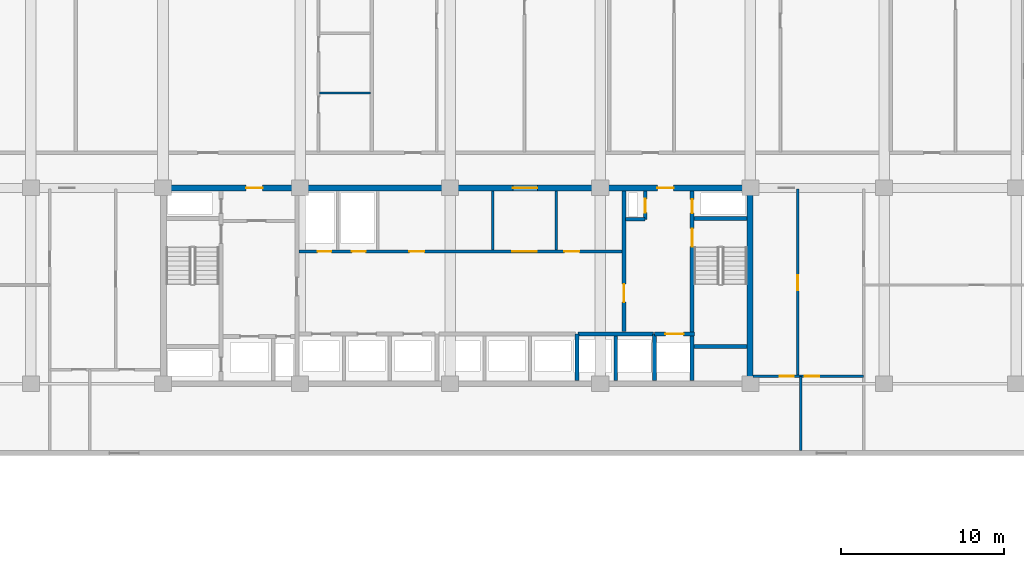
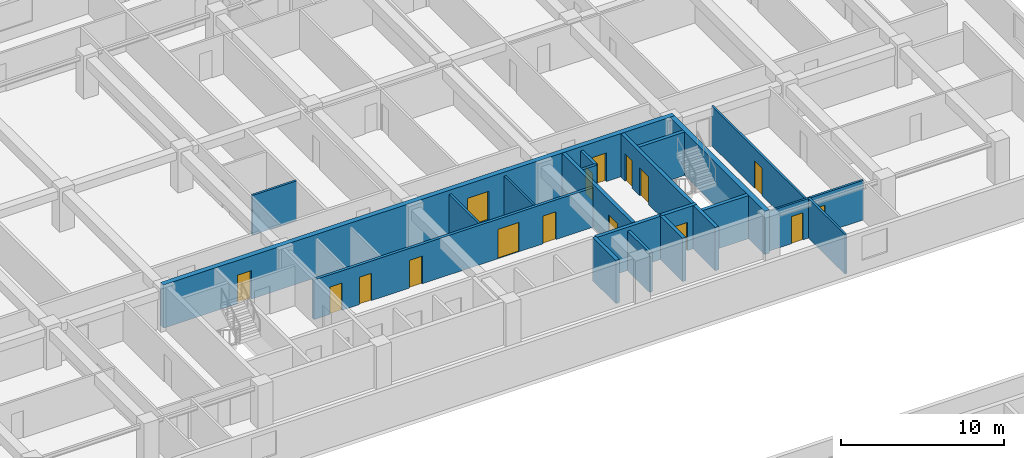
# One storey, part 11 of 23: 20 walls, 16 doors, 16 openings.
"""IFC4 building model written with IfcOpenShell, lengths in metres."""

from ifc_helpers import new_model, si_unit, direction, frame, frame_2d, origin, place, context, subcontext, project, spatial, rectangle, extrude, material, layer, layer_set, type_object, element, fill, save


model = new_model("IFC4")

# Units and contexts
model_context = context("Model", 3, precision=1e-05, world=origin(), true_north=direction((0.0, 1.0)))
body_context = subcontext(model_context, "Body", "Model", "MODEL_VIEW")
ifc_project = project(units=[si_unit("LENGTHUNIT", "METRE"), si_unit("AREAUNIT", "SQUARE_METRE"), si_unit("VOLUMEUNIT", "CUBIC_METRE"), si_unit("PLANEANGLEUNIT", "RADIAN"), si_unit("MASSUNIT", "GRAM", prefix="KILO")], contexts=[model_context])

# Site, building, storey
site_placement = place(None, origin())
site = spatial("IfcSite", under=ifc_project, at=site_placement, CompositionType="ELEMENT")
building_placement = place(site_placement, origin())
building = spatial("IfcBuilding", under=site, at=building_placement, Name="Korimba Cascade Residences", CompositionType="ELEMENT")
storey_placement = place(building_placement, frame((0.0, 0.0, 46.75)))
storey = spatial("IfcBuildingStorey", under=building, at=storey_placement, Name="L12", CompositionType="ELEMENT", Elevation=46.75)

# Wall
ifc_material_1 = material(Name="Concrete C65/80", Category="concrete")
ifc_layer_1 = layer(ifc_material_1, 0.35009765625)
ifc_layer_set_1 = layer_set([ifc_layer_1], Name="Concrete C65/80")
wall_type_1 = type_object("IfcWallType", Name="WAL-CORE-350", PredefinedType="SHEAR", material=ifc_layer_set_1)
wall_1_placement = place(storey_placement, frame((112.074951171875, 55.375, 0.0), z_axis=(0.0, 0.0, 1.0), x_axis=(0.0, 1.0, 0.0)))
element("IfcWall", 1, at=wall_1_placement, inside=storey, type_object=wall_type_1, Name="L12 Core Shear Wall CW-L12-T1-E", PredefinedType="SHEAR", context=body_context, shape_type="SweptSolid", body=[
    extrude(rectangle(XDim=11.64990234375, YDim=0.35009765625, at=frame_2d((5.824951171875, 0.0))), origin(), (0.0, 0.0, 1.0), 3.25),
])

# Wall, openings, doors
wall_2_placement = place(storey_placement, frame((75.949951171875, 67.199951171875, 0.0), z_axis=(0.0, 0.0, 1.0), x_axis=(1.0, 0.0, 0.0)))
wall_2 = element("IfcWall", 2, at=wall_2_placement, inside=storey, type_object=wall_type_1, Name="L12 Core Shear Wall CW-L12-T1-N", PredefinedType="SHEAR", context=body_context, shape_type="SweptSolid", body=[
    extrude(rectangle(XDim=36.300048828125, YDim=0.35009765625, at=frame_2d((18.14990234375, 0.0))), origin(), (0.0, 0.0, 1.0), 3.25),
])
opening_1_placement = place(wall_2_placement, frame((5.25, 0.0, 0.0)))
opening_1 = element("IfcOpeningElement", 3, at=opening_1_placement, cuts=wall_2, Name="Opening D-FD5", PredefinedType="OPENING", context=body_context, shape_type="SweptSolid", body=[
    extrude(rectangle(XDim=1.0, YDim=2.14990234375, at=frame_2d((0.5, 1.074951171875))), frame((0.0, 0.18505859375, 0.0), z_axis=(0.0, -1.0, 0.0), x_axis=(1.0, 0.0, 0.0)), (0.0, 0.0, 1.0), 0.3701171875),
])
opening_2_placement = place(wall_2_placement, frame((21.60009765625, 0.0, 0.0)))
opening_2 = element("IfcOpeningElement", 4, at=opening_2_placement, cuts=wall_2, Name="Opening D-FD8", PredefinedType="OPENING", context=body_context, shape_type="SweptSolid", body=[
    extrude(rectangle(XDim=1.5, YDim=2.199951171875, at=frame_2d((0.75, 1.10009765625))), frame((0.0, 0.18505859375, 0.0), z_axis=(0.0, -1.0, 0.0), x_axis=(1.0, 0.0, 0.0)), (0.0, 0.0, 1.0), 0.3701171875),
])
opening_3_placement = place(wall_2_placement, frame((30.449951171875, 0.0, 0.0)))
opening_3 = element("IfcOpeningElement", 5, at=opening_3_placement, cuts=wall_2, Name="Opening D-FD5", PredefinedType="OPENING", context=body_context, shape_type="SweptSolid", body=[
    extrude(rectangle(XDim=1.0, YDim=2.14990234375, at=frame_2d((0.5, 1.074951171875))), frame((0.0, 0.18505859375, 0.0), z_axis=(0.0, -1.0, 0.0), x_axis=(1.0, 0.0, 0.0)), (0.0, 0.0, 1.0), 0.3701171875),
])
ifc_material_2 = material(Name="Fire-Rated Acoustic Timber Vestibule Door", Category="wood")
door_type_1 = type_object("IfcDoorType", Name="DR-FD90-1000", OperationType="NOTDEFINED", PredefinedType="DOOR", material=ifc_material_2)
door_1_placement = place(opening_1_placement, origin())
door_1 = element("IfcDoor", 6, at=door_1_placement, inside=storey, type_object=door_type_1, Name="L12 T1 West Core Vestibule Fire Door", OperationType="SINGLE_SWING_RIGHT", OverallHeight=2.14990234375, OverallWidth=1.0, PredefinedType="DOOR", context=body_context, shape_type="SweptSolid", body=[
    extrude(rectangle(XDim=1.0, YDim=2.14990234375, at=frame_2d((0.5, 1.074951171875))), frame((0.0, 0.02490234375, 0.0), z_axis=(0.0, -1.0, 0.0), x_axis=(1.0, 0.0, 0.0)), (0.0, 0.0, 1.0), 0.050048828125),
])
fill(opening_1, door_1)
door_2_placement = place(opening_3_placement, origin())
door_2 = element("IfcDoor", 7, at=door_2_placement, inside=storey, type_object=door_type_1, Name="L12 T1 East Firefighting Vestibule Fire Door", OperationType="SINGLE_SWING_LEFT", OverallHeight=2.14990234375, OverallWidth=1.0, PredefinedType="DOOR", context=body_context, shape_type="SweptSolid", body=[
    extrude(rectangle(XDim=1.0, YDim=2.14990234375, at=frame_2d((0.5, 1.074951171875))), frame((0.0, 0.02490234375, 0.0), z_axis=(0.0, -1.0, 0.0), x_axis=(1.0, 0.0, 0.0)), (0.0, 0.0, 1.0), 0.050048828125),
])
fill(opening_3, door_2)
ifc_material_3 = material(Name="Fire-Rated Glazed Lift Lobby Double Door", Category="glass")
door_type_2 = type_object("IfcDoorType", Name="DR-FD90-1500", OperationType="NOTDEFINED", PredefinedType="DOOR", material=ifc_material_3)
door_3_placement = place(opening_2_placement, origin())
door_3 = element("IfcDoor", 8, at=door_3_placement, inside=storey, type_object=door_type_2, Name="L12 T1 Lift Lobby Fire Door", OperationType="DOUBLE_DOOR_SINGLE_SWING", OverallHeight=2.199951171875, OverallWidth=1.5, PredefinedType="DOOR", context=body_context, shape_type="SweptSolid", body=[
    extrude(rectangle(XDim=1.5, YDim=2.199951171875, at=frame_2d((0.75, 1.10009765625))), frame((0.0, 0.02490234375, 0.0), z_axis=(0.0, -1.0, 0.0), x_axis=(1.0, 0.0, 0.0)), (0.0, 0.0, 1.0), 0.050048828125),
])
fill(opening_2, door_3)

# Walls
ifc_material_4 = material(Name="Insulated Acoustic Stud Partition", Category="gypsum")
ifc_layer_2 = layer(ifc_material_4, 0.14990234375)
ifc_layer_set_2 = layer_set([ifc_layer_2], Name="Insulated Acoustic Stud Partition")
wall_type_2 = type_object("IfcWallType", Name="WAL-PART-150", PredefinedType="PARTITIONING", material=ifc_layer_set_2)
for number, where, z_axis, x_axis, name in (
    (9, (96.300048828125, 63.39990234375, 0.0), (0.0, 0.0, 1.0), (0.0, 1.0, 0.0), "L12 Partition Wall CW-L12-T1-THW"),
    (10, (100.199951171875, 63.39990234375, 0.0), (0.0, 0.0, 1.0), (0.0, 1.0, 0.0), "L12 Partition Wall CW-L12-T1-THE"),
):
    element("IfcWall", number, at=place(storey_placement, frame(where, z_axis=z_axis, x_axis=x_axis)), inside=storey, type_object=wall_type_2, Name=name, PredefinedType="PARTITIONING", context=body_context, shape_type="SweptSolid", body=[
        extrude(rectangle(XDim=3.60009765625, YDim=0.14990234375, at=frame_2d((1.800048828125, 0.0))), origin(), (0.0, 0.0, 1.0), 2.969970703125),
    ])

# Wall, opening, door
wall_3_placement = place(storey_placement, frame((115.0, 55.64990234375, 0.0), z_axis=(0.0, 0.0, 1.0), x_axis=(0.0, 1.0, 0.0)))
wall_3 = element("IfcWall", 11, at=wall_3_placement, inside=storey, type_object=wall_type_2, Name="L12 Partition Wall WAL-L12-T1-FE-VN", PredefinedType="PARTITIONING", context=body_context, shape_type="SweptSolid", body=[
    extrude(rectangle(XDim=11.5, YDim=0.14990234375, at=frame_2d((5.75, 0.0))), origin(), (0.0, 0.0, 1.0), 2.969970703125),
])
opening_4_placement = place(wall_3_placement, frame((5.2900390625, 0.0, 0.0)))
opening_4 = element("IfcOpeningElement", 12, at=opening_4_placement, cuts=wall_3, Name="Opening D-IN1", PredefinedType="OPENING", context=body_context, shape_type="SweptSolid", body=[
    extrude(rectangle(XDim=0.919921875, YDim=2.080078125, at=frame_2d((0.4599609375, 1.0400390625))), frame((0.0, 0.0849609375, 0.0), z_axis=(0.0, -1.0, 0.0), x_axis=(1.0, 0.0, 0.0)), (0.0, 0.0, 1.0), 0.169921875),
])
ifc_material_5 = material(Name="Acoustic Timber Living Door", Category="wood")
door_type_3 = type_object("IfcDoorType", Name="DR-INT-920", OperationType="NOTDEFINED", PredefinedType="DOOR", material=ifc_material_5)
door_4_placement = place(opening_4_placement, origin())
door_4 = element("IfcDoor", 13, at=door_4_placement, inside=storey, type_object=door_type_3, Name="L12-T1-FE Living Door", OperationType="SINGLE_SWING_RIGHT", OverallHeight=2.080078125, OverallWidth=0.919921875, PredefinedType="DOOR", context=body_context, shape_type="SweptSolid", body=[
    extrude(rectangle(XDim=0.919921875, YDim=2.080078125, at=frame_2d((0.4599609375, 1.0400390625))), frame((0.0, 0.02490234375, 0.0), z_axis=(0.0, -1.0, 0.0), x_axis=(1.0, 0.0, 0.0)), (0.0, 0.0, 1.0), 0.050048828125),
])
fill(opening_4, door_4)

# Wall
wall_4_placement = place(storey_placement, frame((115.199951171875, 51.10009765625, 0.0), z_axis=(0.0, 0.0, 1.0), x_axis=(0.0, 1.0, 0.0)))
element("IfcWall", 14, at=wall_4_placement, inside=storey, type_object=wall_type_2, Name="L12 Partition Wall WAL-L12-T1-FE-VS", PredefinedType="PARTITIONING", context=body_context, shape_type="SweptSolid", body=[
    extrude(rectangle(XDim=4.5498046875, YDim=0.14990234375, at=frame_2d((2.27490234375, 0.0))), origin(), (0.0, 0.0, 1.0), 2.969970703125),
])

# Wall, openings, doors
wall_5_placement = place(storey_placement, frame((112.27001953125, 55.64990234375, 0.0), z_axis=(0.0, 0.0, 1.0), x_axis=(1.0, 0.0, 0.0)))
wall_5 = element("IfcWall", 15, at=wall_5_placement, inside=storey, type_object=wall_type_2, Name="L12 Partition Wall WAL-L12-T1-FE-H", PredefinedType="PARTITIONING", context=body_context, shape_type="SweptSolid", body=[
    extrude(rectangle(XDim=6.760009765625, YDim=0.14990234375, at=frame_2d((3.3798828125, 0.0))), origin(), (0.0, 0.0, 1.0), 2.969970703125),
])
opening_5_placement = place(wall_5_placement, frame((1.6396484375, 0.0, 0.0)))
opening_5 = element("IfcOpeningElement", 16, at=opening_5_placement, cuts=wall_5, Name="Opening D-BT1", PredefinedType="OPENING", context=body_context, shape_type="SweptSolid", body=[
    extrude(rectangle(XDim=0.840087890625, YDim=2.0400390625, at=frame_2d((0.419921875, 1.02001953125))), frame((0.0, 0.0849609375, 0.0), z_axis=(0.0, -1.0, 0.0), x_axis=(1.0, 0.0, 0.0)), (0.0, 0.0, 1.0), 0.169921875),
])
opening_6_placement = place(wall_5_placement, frame((3.160400390625, 0.0, 0.0)))
opening_6 = element("IfcOpeningElement", 17, at=opening_6_placement, cuts=wall_5, Name="Opening D-IN2", PredefinedType="OPENING", context=body_context, shape_type="SweptSolid", body=[
    extrude(rectangle(XDim=0.8798828125, YDim=2.06005859375, at=frame_2d((0.43994140625, 1.030029296875))), frame((0.0, 0.0849609375, 0.0), z_axis=(0.0, -1.0, 0.0), x_axis=(1.0, 0.0, 0.0)), (0.0, 0.0, 1.0), 0.169921875),
])
ifc_material_6 = material(Name="Moisture-Resistant Bathroom Timber Door", Category="wood")
door_type_4 = type_object("IfcDoorType", Name="DR-INT-850", OperationType="NOTDEFINED", PredefinedType="DOOR", material=ifc_material_6)
door_5_placement = place(opening_5_placement, origin())
door_5 = element("IfcDoor", 18, at=door_5_placement, inside=storey, type_object=door_type_4, Name="L12-T1-FE Bathroom Door", OperationType="SINGLE_SWING_LEFT", OverallHeight=2.0400390625, OverallWidth=0.840087890625, PredefinedType="DOOR", context=body_context, shape_type="SweptSolid", body=[
    extrude(rectangle(XDim=0.840087890625, YDim=2.0400390625, at=frame_2d((0.419921875, 1.02001953125))), frame((0.0, 0.02490234375, 0.0), z_axis=(0.0, -1.0, 0.0), x_axis=(1.0, 0.0, 0.0)), (0.0, 0.0, 1.0), 0.050048828125),
])
fill(opening_5, door_5)
ifc_material_7 = material(Name="Acoustic Timber Bedroom Door", Category="wood")
door_type_5 = type_object("IfcDoorType", Name="DR-INT-880", OperationType="NOTDEFINED", PredefinedType="DOOR", material=ifc_material_7)
door_6_placement = place(opening_6_placement, origin())
door_6 = element("IfcDoor", 19, at=door_6_placement, inside=storey, type_object=door_type_5, Name="L12-T1-FE Bedroom Door", OperationType="SINGLE_SWING_RIGHT", OverallHeight=2.06005859375, OverallWidth=0.8798828125, PredefinedType="DOOR", context=body_context, shape_type="SweptSolid", body=[
    extrude(rectangle(XDim=0.8798828125, YDim=2.06005859375, at=frame_2d((0.43994140625, 1.030029296875))), frame((0.0, 0.02490234375, 0.0), z_axis=(0.0, -1.0, 0.0), x_axis=(1.0, 0.0, 0.0)), (0.0, 0.0, 1.0), 0.050048828125),
])
fill(opening_6, door_6)

# Walls
wall_6_placement = place(storey_placement, frame((85.684326171875, 73.02001953125, 0.0), z_axis=(0.0, 0.0, 1.0), x_axis=(1.0, 0.0, 0.0)))
element("IfcWall", 20, at=wall_6_placement, inside=storey, type_object=wall_type_2, Name="L12 Partition Wall WAL-L12-T1-U02-WCH", PredefinedType="PARTITIONING", context=body_context, shape_type="SweptSolid", body=[
    extrude(rectangle(XDim=3.1298828125, YDim=0.14990234375, at=frame_2d((1.56494140625, 0.0))), origin(), (0.0, 0.0, 1.0), 2.969970703125),
])
ifc_material_8 = material(Name="Concrete C40/50", Category="concrete")
ifc_layer_3 = layer(ifc_material_8, 0.199951171875)
ifc_layer_set_3 = layer_set([ifc_layer_3], Name="Concrete C40/50")
wall_type_3 = type_object("IfcWallType", Name="WAL-PART-200", PredefinedType="PARTITIONING", material=ifc_layer_set_3)
wall_7_placement = place(storey_placement, frame((103.85009765625, 55.39990234375, 0.0), z_axis=(0.0, 0.0, 1.0), x_axis=(0.0, 1.0, 0.0)))
element("IfcWall", 21, at=wall_7_placement, inside=storey, type_object=wall_type_3, Name="L12 Partition Wall CW-L12-T1-B3D1", PredefinedType="PARTITIONING", context=body_context, shape_type="SweptSolid", body=[
    extrude(rectangle(XDim=2.72021484375, YDim=0.199951171875, at=frame_2d((1.360107421875, 0.0))), origin(), (0.0, 0.0, 1.0), 2.969970703125),
])

# Wall, openings, doors
wall_8_placement = place(storey_placement, frame((84.419921875, 63.300048828125, 0.0), z_axis=(0.0, 0.0, 1.0), x_axis=(1.0, 0.0, 0.0)))
wall_8 = element("IfcWall", 22, at=wall_8_placement, inside=storey, type_object=wall_type_3, Name="L12 Partition Wall CW-L12-T1-SRVROW", PredefinedType="PARTITIONING", context=body_context, shape_type="SweptSolid", body=[
    extrude(rectangle(XDim=19.830078125, YDim=0.199951171875, at=frame_2d((9.9150390625, 0.0))), origin(), (0.0, 0.0, 1.0), 2.969970703125),
])
opening_7_placement = place(wall_8_placement, frame((1.14990234375, 0.0, 0.0)))
opening_7 = element("IfcOpeningElement", 23, at=opening_7_placement, cuts=wall_8, Name="Opening D-RS1", PredefinedType="OPENING", context=body_context, shape_type="SweptSolid", body=[
    extrude(rectangle(XDim=0.85009765625, YDim=2.050048828125, at=frame_2d((0.425048828125, 1.02490234375))), frame((0.0, 0.10986328125, 0.0), z_axis=(0.0, -1.0, 0.0), x_axis=(1.0, 0.0, 0.0)), (0.0, 0.0, 1.0), 0.219970703125),
])
opening_8_placement = place(wall_8_placement, frame((3.25, 0.0, 0.0)))
opening_8 = element("IfcOpeningElement", 24, at=opening_8_placement, cuts=wall_8, Name="Opening D-RS1", PredefinedType="OPENING", context=body_context, shape_type="SweptSolid", body=[
    extrude(rectangle(XDim=0.85009765625, YDim=2.050048828125, at=frame_2d((0.425048828125, 1.02490234375))), frame((0.0, 0.10986328125, 0.0), z_axis=(0.0, -1.0, 0.0), x_axis=(1.0, 0.0, 0.0)), (0.0, 0.0, 1.0), 0.219970703125),
])
opening_9_placement = place(wall_8_placement, frame((13.080078125, 0.0, 0.0)))
opening_9 = element("IfcOpeningElement", 25, at=opening_9_placement, cuts=wall_8, Name="Opening D-FD8", PredefinedType="OPENING", context=body_context, shape_type="SweptSolid", body=[
    extrude(rectangle(XDim=1.5, YDim=2.199951171875, at=frame_2d((0.75, 1.10009765625))), frame((0.0, 0.10986328125, 0.0), z_axis=(0.0, -1.0, 0.0), x_axis=(1.0, 0.0, 0.0)), (0.0, 0.0, 1.0), 0.219970703125),
])
opening_10_placement = place(wall_8_placement, frame((6.780029296875, 0.0, 0.0)))
opening_10 = element("IfcOpeningElement", 26, at=opening_10_placement, cuts=wall_8, Name="Opening D-IN1", PredefinedType="OPENING", context=body_context, shape_type="SweptSolid", body=[
    extrude(rectangle(XDim=0.919921875, YDim=2.080078125, at=frame_2d((0.4599609375, 1.0400390625))), frame((0.0, 0.10986328125, 0.0), z_axis=(0.0, -1.0, 0.0), x_axis=(1.0, 0.0, 0.0)), (0.0, 0.0, 1.0), 0.219970703125),
])
opening_11_placement = place(wall_8_placement, frame((16.280029296875, 0.0, 0.0)))
opening_11 = element("IfcOpeningElement", 27, at=opening_11_placement, cuts=wall_8, Name="Opening D-IN1", PredefinedType="OPENING", context=body_context, shape_type="SweptSolid", body=[
    extrude(rectangle(XDim=0.919921875, YDim=2.080078125, at=frame_2d((0.4599609375, 1.0400390625))), frame((0.0, 0.10986328125, 0.0), z_axis=(0.0, -1.0, 0.0), x_axis=(1.0, 0.0, 0.0)), (0.0, 0.0, 1.0), 0.219970703125),
])
ifc_material_9 = material(Name="Fire-Rated Steel Riser Access Door", Category="steel")
door_type_6 = type_object("IfcDoorType", Name="DR-FD60-850", OperationType="NOTDEFINED", PredefinedType="DOOR", material=ifc_material_9)
door_7_placement = place(opening_7_placement, origin())
door_7 = element("IfcDoor", 28, at=door_7_placement, inside=storey, type_object=door_type_6, Name="L12 Electrical Riser Door", OperationType="SINGLE_SWING_RIGHT", OverallHeight=2.050048828125, OverallWidth=0.85009765625, PredefinedType="DOOR", context=body_context, shape_type="SweptSolid", body=[
    extrude(rectangle(XDim=0.85009765625, YDim=2.050048828125, at=frame_2d((0.425048828125, 1.02490234375))), frame((0.0, 0.02490234375, 0.0), z_axis=(0.0, -1.0, 0.0), x_axis=(1.0, 0.0, 0.0)), (0.0, 0.0, 1.0), 0.050048828125),
])
fill(opening_7, door_7)
door_8_placement = place(opening_8_placement, origin())
door_8 = element("IfcDoor", 29, at=door_8_placement, inside=storey, type_object=door_type_6, Name="L12 Plumbing Riser Door", OperationType="SINGLE_SWING_LEFT", OverallHeight=2.050048828125, OverallWidth=0.85009765625, PredefinedType="DOOR", context=body_context, shape_type="SweptSolid", body=[
    extrude(rectangle(XDim=0.85009765625, YDim=2.050048828125, at=frame_2d((0.425048828125, 1.02490234375))), frame((0.0, 0.02490234375, 0.0), z_axis=(0.0, -1.0, 0.0), x_axis=(1.0, 0.0, 0.0)), (0.0, 0.0, 1.0), 0.050048828125),
])
fill(opening_8, door_8)
door_9_placement = place(opening_9_placement, origin())
door_9 = element("IfcDoor", 30, at=door_9_placement, inside=storey, type_object=door_type_2, Name="L12 Lift Lobby Foyer Archway Door", OperationType="DOUBLE_DOOR_SINGLE_SWING", OverallHeight=2.199951171875, OverallWidth=1.5, PredefinedType="DOOR", context=body_context, shape_type="SweptSolid", body=[
    extrude(rectangle(XDim=1.5, YDim=2.199951171875, at=frame_2d((0.75, 1.10009765625))), frame((0.0, 0.02490234375, 0.0), z_axis=(0.0, -1.0, 0.0), x_axis=(1.0, 0.0, 0.0)), (0.0, 0.0, 1.0), 0.050048828125),
])
fill(opening_9, door_9)
door_10_placement = place(opening_10_placement, origin())
door_10 = element("IfcDoor", 31, at=door_10_placement, inside=storey, type_object=door_type_3, Name="L12 Housekeeping Door", OperationType="SINGLE_SWING_RIGHT", OverallHeight=2.080078125, OverallWidth=0.919921875, PredefinedType="DOOR", context=body_context, shape_type="SweptSolid", body=[
    extrude(rectangle(XDim=0.919921875, YDim=2.080078125, at=frame_2d((0.4599609375, 1.0400390625))), frame((0.0, 0.02490234375, 0.0), z_axis=(0.0, -1.0, 0.0), x_axis=(1.0, 0.0, 0.0)), (0.0, 0.0, 1.0), 0.050048828125),
])
fill(opening_10, door_10)
door_11_placement = place(opening_11_placement, origin())
door_11 = element("IfcDoor", 32, at=door_11_placement, inside=storey, type_object=door_type_3, Name="L12 Store Door", OperationType="SINGLE_SWING_LEFT", OverallHeight=2.080078125, OverallWidth=0.919921875, PredefinedType="DOOR", context=body_context, shape_type="SweptSolid", body=[
    extrude(rectangle(XDim=0.919921875, YDim=2.080078125, at=frame_2d((0.4599609375, 1.0400390625))), frame((0.0, 0.02490234375, 0.0), z_axis=(0.0, -1.0, 0.0), x_axis=(1.0, 0.0, 0.0)), (0.0, 0.0, 1.0), 0.050048828125),
])
fill(opening_11, door_11)

# Wall
wall_9_placement = place(storey_placement, frame((104.449951171875, 65.280029296875, 0.0), z_axis=(0.0, 0.0, 1.0), x_axis=(1.0, 0.0, 0.0)))
element("IfcWall", 33, at=wall_9_placement, inside=storey, type_object=wall_type_3, Name="L12 Partition Wall CW-L12-T1-HYDW2S", PredefinedType="PARTITIONING", context=body_context, shape_type="SweptSolid", body=[
    extrude(rectangle(XDim=1.199951171875, YDim=0.199951171875, at=frame_2d((0.60009765625, 0.0))), origin(), (0.0, 0.0, 1.0), 2.969970703125),
])

# Wall, opening, door
wall_10_placement = place(storey_placement, frame((105.64990234375, 65.280029296875, 0.0), z_axis=(0.0, 0.0, 1.0), x_axis=(0.0, 1.0, 0.0)))
wall_10 = element("IfcWall", 34, at=wall_10_placement, inside=storey, type_object=wall_type_3, Name="L12 Partition Wall CW-L12-T1-HYDW2E", PredefinedType="PARTITIONING", context=body_context, shape_type="SweptSolid", body=[
    extrude(rectangle(XDim=1.719970703125, YDim=0.199951171875, at=frame_2d((0.85986328125, 0.0))), origin(), (0.0, 0.0, 1.0), 2.969970703125),
])
opening_12_placement = place(wall_10_placement, frame((0.39990234375, 0.0, 0.0)))
opening_12 = element("IfcOpeningElement", 35, at=opening_12_placement, cuts=wall_10, Name="Opening D-RS1", PredefinedType="OPENING", context=body_context, shape_type="SweptSolid", body=[
    extrude(rectangle(XDim=0.85009765625, YDim=2.050048828125, at=frame_2d((0.425048828125, 1.02490234375))), frame((0.0, 0.10986328125, 0.0), z_axis=(0.0, -1.0, 0.0), x_axis=(1.0, 0.0, 0.0)), (0.0, 0.0, 1.0), 0.219970703125),
])
door_12_placement = place(opening_12_placement, origin())
door_12 = element("IfcDoor", 36, at=door_12_placement, inside=storey, type_object=door_type_6, Name="L12 East Hydrant Door", OperationType="SINGLE_SWING_RIGHT", OverallHeight=2.050048828125, OverallWidth=0.85009765625, PredefinedType="DOOR", context=body_context, shape_type="SweptSolid", body=[
    extrude(rectangle(XDim=0.85009765625, YDim=2.050048828125, at=frame_2d((0.425048828125, 1.02490234375))), frame((0.0, 0.02490234375, 0.0), z_axis=(0.0, -1.0, 0.0), x_axis=(1.0, 0.0, 0.0)), (0.0, 0.0, 1.0), 0.050048828125),
])
fill(opening_12, door_12)

# Walls
ifc_material_10 = material(Name="Concrete C50/60", Category="concrete")
ifc_layer_4 = layer(ifc_material_10, 0.25)
ifc_layer_set_4 = layer_set([ifc_layer_4], Name="Concrete C50/60")
wall_type_4 = type_object("IfcWallType", Name="WAL-SHAFT-250", PredefinedType="SHEAR", material=ifc_layer_set_4)
wall_11_placement = place(storey_placement, frame((101.47998046875, 55.39990234375, 0.0), z_axis=(0.0, 0.0, 1.0), x_axis=(0.0, 1.0, 0.0)))
element("IfcWall", 37, at=wall_11_placement, inside=storey, type_object=wall_type_4, Name="L12 Core Shear Wall CW-L12-T1-B23DIV", PredefinedType="SHEAR", context=body_context, shape_type="SweptSolid", body=[
    extrude(rectangle(XDim=2.85009765625, YDim=0.25, at=frame_2d((1.425048828125, 0.0))), origin(), (0.0, 0.0, 1.0), 3.25),
])
wall_12_placement = place(storey_placement, frame((101.550048828125, 58.25, 0.0), z_axis=(0.0, 0.0, 1.0), x_axis=(1.0, 0.0, 0.0)))
element("IfcWall", 38, at=wall_12_placement, inside=storey, type_object=wall_type_4, Name="L12 Core Shear Wall CW-L12-T1-B3N", PredefinedType="SHEAR", context=body_context, shape_type="SweptSolid", body=[
    extrude(rectangle(XDim=4.599853515625, YDim=0.25, at=frame_2d((2.2998046875, 0.0))), origin(), (0.0, 0.0, 1.0), 3.25),
])
wall_13_placement = place(storey_placement, frame((106.219970703125, 55.39990234375, 0.0), z_axis=(0.0, 0.0, 1.0), x_axis=(0.0, 1.0, 0.0)))
element("IfcWall", 39, at=wall_13_placement, inside=storey, type_object=wall_type_4, Name="L12 Core Shear Wall CW-L12-T1-FF2W", PredefinedType="SHEAR", context=body_context, shape_type="SweptSolid", body=[
    extrude(rectangle(XDim=2.85009765625, YDim=0.25, at=frame_2d((1.425048828125, 0.0))), origin(), (0.0, 0.0, 1.0), 3.25),
])

# Wall, opening, door
wall_14_placement = place(storey_placement, frame((106.219970703125, 58.25, 0.0), z_axis=(0.0, 0.0, 1.0), x_axis=(1.0, 0.0, 0.0)))
wall_14 = element("IfcWall", 40, at=wall_14_placement, inside=storey, type_object=wall_type_4, Name="L12 Core Shear Wall CW-L12-T1-FF2N", PredefinedType="SHEAR", context=body_context, shape_type="SweptSolid", body=[
    extrude(rectangle(XDim=2.4599609375, YDim=0.25, at=frame_2d((1.22998046875, 0.0))), origin(), (0.0, 0.0, 1.0), 3.25),
])
opening_13_placement = place(wall_14_placement, frame((0.669921875, 0.0, 0.0)))
opening_13 = element("IfcOpeningElement", 41, at=opening_13_placement, cuts=wall_14, Name="Opening LD-01", PredefinedType="OPENING", context=body_context, shape_type="SweptSolid", body=[
    extrude(rectangle(XDim=1.1201171875, YDim=2.1201171875, at=frame_2d((0.56005859375, 1.06005859375))), frame((0.0, 0.135009765625, 0.0), z_axis=(0.0, -1.0, 0.0), x_axis=(1.0, 0.0, 0.0)), (0.0, 0.0, 1.0), 0.27001953125),
])
ifc_material_11 = material(Name="Stainless Steel Lift Landing Sliding Door", Category="steel")
door_type_7 = type_object("IfcDoorType", Name="DR-LIFT-1100", OperationType="NOTDEFINED", PredefinedType="DOOR", material=ifc_material_11)
door_13_placement = place(opening_13_placement, origin())
door_13 = element("IfcDoor", 42, at=door_13_placement, inside=storey, type_object=door_type_7, Name="L12 Firefighting Lift Landing Door FFL-W2", OperationType="SLIDING_TO_RIGHT", OverallHeight=2.1201171875, OverallWidth=1.1201171875, PredefinedType="DOOR", context=body_context, shape_type="SweptSolid", body=[
    extrude(rectangle(XDim=1.1201171875, YDim=2.1201171875, at=frame_2d((0.56005859375, 1.06005859375))), frame((0.0, 0.02490234375, 0.0), z_axis=(0.0, -1.0, 0.0), x_axis=(1.0, 0.0, 0.0)), (0.0, 0.0, 1.0), 0.050048828125),
])
fill(opening_13, door_13)

wall_15_placement = place(storey_placement, frame((104.35009765625, 58.39990234375, 0.0), z_axis=(0.0, 0.0, 1.0), x_axis=(0.0, 1.0, 0.0)))
wall_15 = element("IfcWall", 43, at=wall_15_placement, inside=storey, type_object=wall_type_4, Name="L12 Core Shear Wall CW-L12-T1-LLEV", PredefinedType="SHEAR", context=body_context, shape_type="SweptSolid", body=[
    extrude(rectangle(XDim=8.60009765625, YDim=0.25, at=frame_2d((4.300048828125, 0.0))), origin(), (0.0, 0.0, 1.0), 3.25),
])
opening_14_placement = place(wall_15_placement, frame((1.800048828125, 0.0, 0.0)))
opening_14 = element("IfcOpeningElement", 44, at=opening_14_placement, cuts=wall_15, Name="Opening D-FD1", PredefinedType="OPENING", context=body_context, shape_type="SweptSolid", body=[
    extrude(rectangle(XDim=1.10009765625, YDim=2.10009765625, at=frame_2d((0.550048828125, 1.050048828125))), frame((0.0, 0.135009765625, 0.0), z_axis=(0.0, -1.0, 0.0), x_axis=(1.0, 0.0, 0.0)), (0.0, 0.0, 1.0), 0.27001953125),
])
ifc_material_12 = material(Name="Fire-Rated Steel Core Door", Category="steel")
door_type_8 = type_object("IfcDoorType", Name="DR-FD120-1100", OperationType="NOTDEFINED", PredefinedType="DOOR", material=ifc_material_12)
door_14_placement = place(opening_14_placement, origin())
door_14 = element("IfcDoor", 45, at=door_14_placement, inside=storey, type_object=door_type_8, Name="L12 Lift Lobby to East Firefighting Lobby Door", OperationType="SINGLE_SWING_LEFT", OverallHeight=2.10009765625, OverallWidth=1.10009765625, PredefinedType="DOOR", context=body_context, shape_type="SweptSolid", body=[
    extrude(rectangle(XDim=1.10009765625, YDim=2.10009765625, at=frame_2d((0.550048828125, 1.050048828125))), frame((0.0, 0.02490234375, 0.0), z_axis=(0.0, -1.0, 0.0), x_axis=(1.0, 0.0, 0.0)), (0.0, 0.0, 1.0), 0.050048828125),
])
fill(opening_14, door_14)

# Wall, openings, doors
wall_16_placement = place(storey_placement, frame((108.534912109375, 55.39990234375, 0.0), z_axis=(0.0, 0.0, 1.0), x_axis=(0.0, 1.0, 0.0)))
wall_16 = element("IfcWall", 46, at=wall_16_placement, inside=storey, type_object=wall_type_4, Name="L12 Core Shear Wall CW-L12-T1-STW2W", PredefinedType="SHEAR", context=body_context, shape_type="SweptSolid", body=[
    extrude(rectangle(XDim=11.60009765625, YDim=0.25, at=frame_2d((5.800048828125, 0.0))), origin(), (0.0, 0.0, 1.0), 3.25),
])
opening_15_placement = place(wall_16_placement, frame((8.199951171875, 0.0, 0.0)))
opening_15 = element("IfcOpeningElement", 47, at=opening_15_placement, cuts=wall_16, Name="Opening D-FD1", PredefinedType="OPENING", context=body_context, shape_type="SweptSolid", body=[
    extrude(rectangle(XDim=1.10009765625, YDim=2.10009765625, at=frame_2d((0.550048828125, 1.050048828125))), frame((0.0, 0.135009765625, 0.0), z_axis=(0.0, -1.0, 0.0), x_axis=(1.0, 0.0, 0.0)), (0.0, 0.0, 1.0), 0.27001953125),
])
opening_16_placement = place(wall_16_placement, frame((10.25, 0.0, 0.0)))
opening_16 = element("IfcOpeningElement", 48, at=opening_16_placement, cuts=wall_16, Name="Opening D-RS1", PredefinedType="OPENING", context=body_context, shape_type="SweptSolid", body=[
    extrude(rectangle(XDim=0.85009765625, YDim=2.050048828125, at=frame_2d((0.425048828125, 1.02490234375))), frame((0.0, 0.135009765625, 0.0), z_axis=(0.0, -1.0, 0.0), x_axis=(1.0, 0.0, 0.0)), (0.0, 0.0, 1.0), 0.27001953125),
])
door_15_placement = place(opening_15_placement, origin())
door_15 = element("IfcDoor", 49, at=door_15_placement, inside=storey, type_object=door_type_8, Name="L12 Fire Stair ST-W2 Door", OperationType="SINGLE_SWING_RIGHT", OverallHeight=2.10009765625, OverallWidth=1.10009765625, PredefinedType="DOOR", context=body_context, shape_type="SweptSolid", body=[
    extrude(rectangle(XDim=1.10009765625, YDim=2.10009765625, at=frame_2d((0.550048828125, 1.050048828125))), frame((0.0, 0.02490234375, 0.0), z_axis=(0.0, -1.0, 0.0), x_axis=(1.0, 0.0, 0.0)), (0.0, 0.0, 1.0), 0.050048828125),
])
fill(opening_15, door_15)
door_16_placement = place(opening_16_placement, origin())
door_16 = element("IfcDoor", 50, at=door_16_placement, inside=storey, type_object=door_type_6, Name="L12 East Riser Door", OperationType="SINGLE_SWING_LEFT", OverallHeight=2.050048828125, OverallWidth=0.85009765625, PredefinedType="DOOR", context=body_context, shape_type="SweptSolid", body=[
    extrude(rectangle(XDim=0.85009765625, YDim=2.050048828125, at=frame_2d((0.425048828125, 1.02490234375))), frame((0.0, 0.02490234375, 0.0), z_axis=(0.0, -1.0, 0.0), x_axis=(1.0, 0.0, 0.0)), (0.0, 0.0, 1.0), 0.050048828125),
])
fill(opening_16, door_16)

# Walls
for number, where, z_axis, x_axis, name in (
    (51, (108.659912109375, 57.47509765625, 0.0), (0.0, 0.0, 1.0), (1.0, 0.0, 0.0), "L12 Core Shear Wall CW-L12-T1-STW2S"),
    (52, (108.659912109375, 65.324951171875, 0.0), (0.0, 0.0, 1.0), (1.0, 0.0, 0.0), "L12 Core Shear Wall CW-L12-T1-STW2N"),
):
    element("IfcWall", number, at=place(storey_placement, frame(where, z_axis=z_axis, x_axis=x_axis)), inside=storey, type_object=wall_type_4, Name=name, PredefinedType="SHEAR", context=body_context, shape_type="SweptSolid", body=[
        extrude(rectangle(XDim=3.239990234375, YDim=0.25, at=frame_2d((1.6201171875, 0.0))), origin(), (0.0, 0.0, 1.0), 3.25),
    ])

save(model, "model.ifc")
